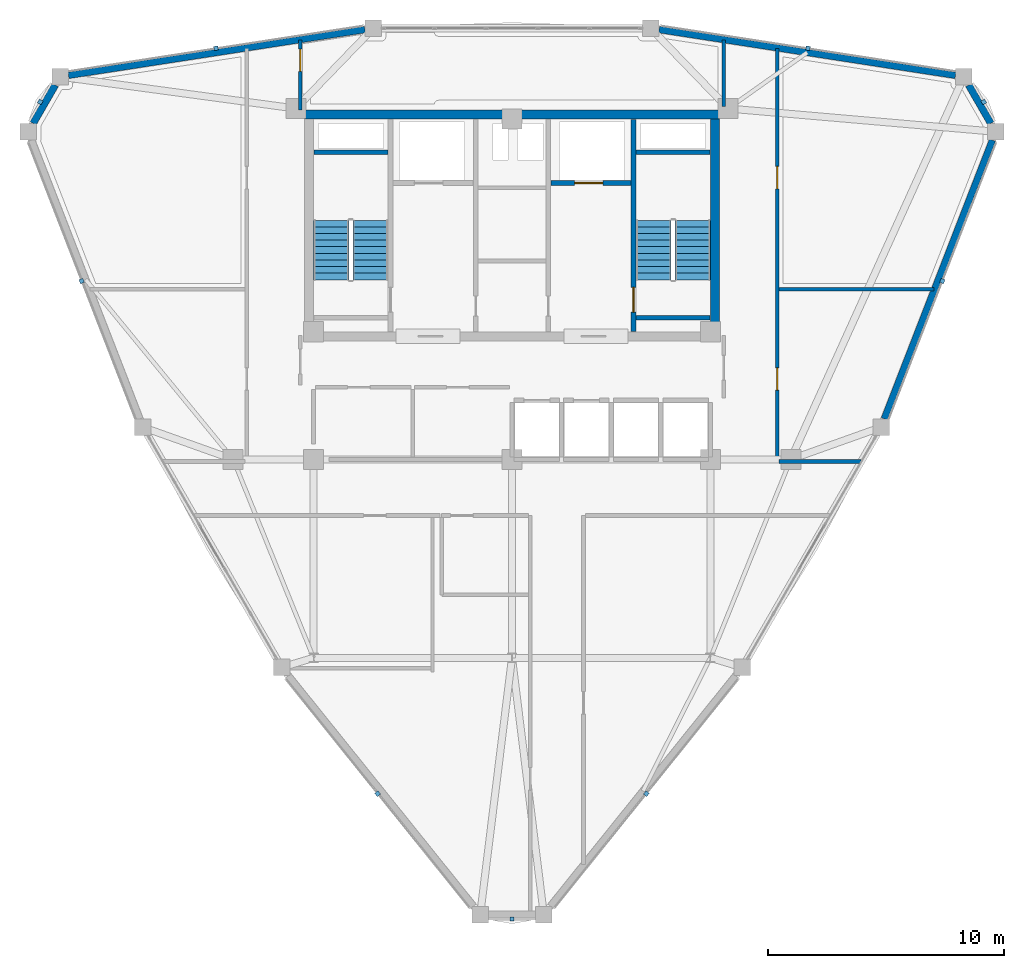
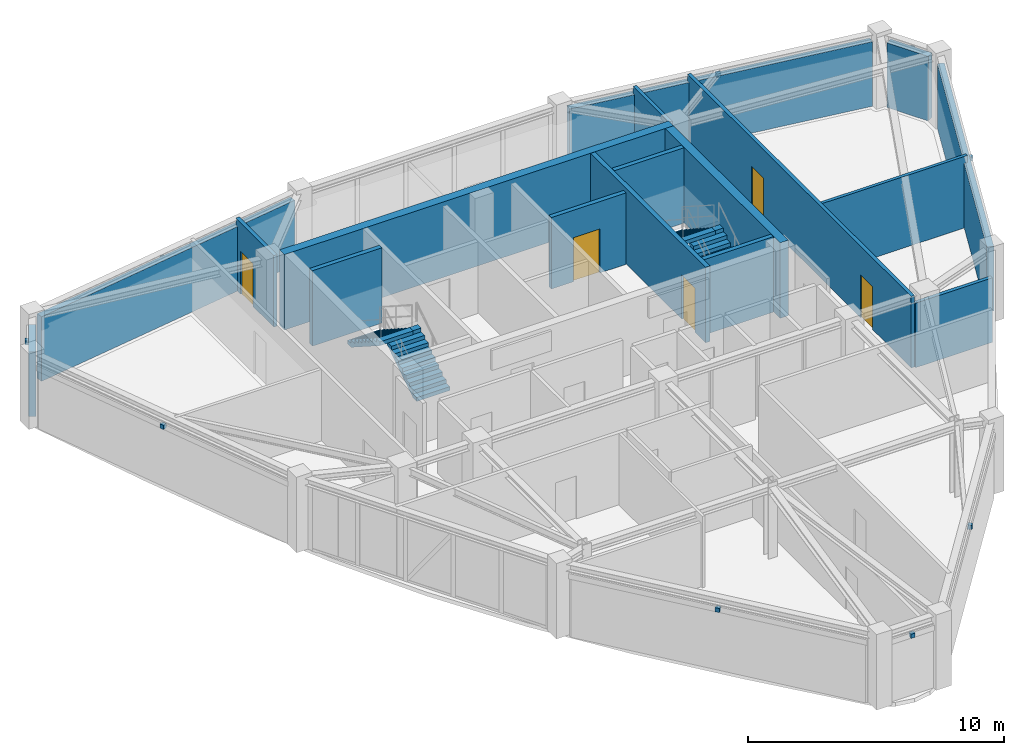
# One storey, part 13 of 15: 17 walls, 9 discrete accessories, 5 doors, 4 stair flights, 5 openings, 2 elements without a shape of their own.
"""IFC4 building model written with IfcOpenShell, lengths in metres."""

from ifc_helpers import new_model, si_unit, derived_unit, direction, frame, frame_2d, origin, origin_2d, place, context, subcontext, project, spatial, polyline, rectangle, outline, extrude, source, transform, mapped, material, layer, layer_set, type_object, element, fill, aggregate, save


model = new_model("IFC4")

# Units and contexts
model_context = context("Model", 3, precision=1e-05, world=origin(), true_north=direction((0.0, 1.0)))
body_context = subcontext(model_context, "Body", "Model", "MODEL_VIEW")
ifc_project = project(units=[si_unit("LENGTHUNIT", "METRE"), si_unit("AREAUNIT", "SQUARE_METRE"), si_unit("VOLUMEUNIT", "CUBIC_METRE"), si_unit("PLANEANGLEUNIT", "RADIAN"), si_unit("MASSUNIT", "GRAM", prefix="KILO"), derived_unit("THERMALTRANSMITTANCEUNIT", [(si_unit("POWERUNIT", "WATT"), 1), (si_unit("LENGTHUNIT", "METRE"), -2), (si_unit("THERMODYNAMICTEMPERATUREUNIT", "KELVIN"), -1)])], contexts=[model_context])

# Site, building, storey
site_placement = place(None, origin())
site = spatial("IfcSite", under=ifc_project, at=site_placement, CompositionType="ELEMENT")
building_placement = place(site_placement, origin())
building = spatial("IfcBuilding", under=site, at=building_placement, Name="Korsvarv Bourse and Concert Hall", CompositionType="ELEMENT")
storey_placement = place(building_placement, frame((0.0, 0.0, 268.199951171875)))
storey = spatial("IfcBuildingStorey", under=building, at=storey_placement, Name="L70", CompositionType="ELEMENT", Elevation=268.199951171875)

# Walls
ifc_material_1 = material(Name="Concrete C50/60", Category="concrete")
ifc_layer_1 = layer(ifc_material_1, 0.3798828125)
ifc_layer_set_1 = layer_set([ifc_layer_1], Name="Concrete C50/60")
wall_type_1 = type_object("IfcWallType", Name="WL-CORE-380", PredefinedType="SHEAR", material=ifc_layer_set_1)
wall_1_placement = place(storey_placement, frame((27.219970703125, 46.989990234375, 0.0), z_axis=(0.0, 0.0, 1.0), x_axis=(1.0, 0.0, 0.0)))
element("IfcWall", 1, at=wall_1_placement, inside=storey, type_object=wall_type_1, Name="L70 North Core Shear Wall", PredefinedType="SHEAR", context=body_context, shape_type="SweptSolid", body=[
    extrude(rectangle(XDim=17.56005859375, YDim=0.3798828125, at=frame_2d((8.780029296875, 0.0))), origin(), (0.0, 0.0, 1.0), 3.60009765625),
])
wall_2_placement = place(storey_placement, frame((44.590087890625, 37.800048828125, 0.0), z_axis=(0.0, 0.0, 1.0), x_axis=(0.0, 1.0, 0.0)))
element("IfcWall", 2, at=wall_2_placement, inside=storey, type_object=wall_type_1, Name="L70 East Core Shear Wall", PredefinedType="SHEAR", context=body_context, shape_type="SweptSolid", body=[
    extrude(rectangle(XDim=9.0, YDim=0.3798828125, at=frame_2d((4.5, 0.0))), origin(), (0.0, 0.0, 1.0), 3.60009765625),
])
wall_3_placement = place(storey_placement, frame((27.610107421875, 45.39990234375, 0.0), z_axis=(0.0, 0.0, 1.0), x_axis=(1.0, 0.0, 0.0)))
element("IfcWall", 3, at=wall_3_placement, inside=storey, type_object=wall_type_1, Name="L70 stair shaft structural wall W-L70-ST1-N", PredefinedType="SHEAR", context=body_context, shape_type="SweptSolid", body=[
    extrude(rectangle(XDim=3.139892578125, YDim=0.199951171875, at=frame_2d((1.56982421875, 0.0))), origin(), (0.0, 0.0, 1.0), 3.60009765625),
])

# Wall, opening, door
wall_4_placement = place(storey_placement, frame((41.139892578125, 37.81005859375, 0.0), z_axis=(0.0, 0.0, 1.0), x_axis=(0.0, 1.0, 0.0)))
wall_4 = element("IfcWall", 4, at=wall_4_placement, inside=storey, type_object=wall_type_1, Name="L70 stair shaft structural wall W-L70-ST2-W", PredefinedType="SHEAR", context=body_context, shape_type="SweptSolid", body=[
    extrude(rectangle(XDim=8.97998046875, YDim=0.199951171875, at=frame_2d((4.489990234375, 0.0))), origin(), (0.0, 0.0, 1.0), 3.60009765625),
])
opening_1_placement = place(wall_4_placement, frame((0.820068359375, 0.0, 0.0)))
opening_1 = element("IfcOpeningElement", 5, at=opening_1_placement, cuts=wall_4, Name="Opening D-01", PredefinedType="OPENING", context=body_context, shape_type="SweptSolid", body=[
    extrude(rectangle(XDim=1.050048828125, YDim=2.10009765625, at=frame_2d((0.52490234375, 1.050048828125))), frame((0.0, 0.10986328125, 0.0), z_axis=(0.0, -1.0, 0.0), x_axis=(1.0, 0.0, 0.0)), (0.0, 0.0, 1.0), 0.219970703125),
])
ifc_material_2 = material(Name="Steel S355 fire door", Category="steel")
door_type_1 = type_object("IfcDoorType", Name="DR-FD60", OperationType="NOTDEFINED", PredefinedType="DOOR", material=ifc_material_2)
door_1_placement = place(opening_1_placement, frame((1.050048828125, 0.0, 0.0), z_axis=(0.0, 0.0, 1.0), x_axis=(-1.0, 0.0, 0.0)))
door_1 = element("IfcDoor", 6, at=door_1_placement, inside=storey, type_object=door_type_1, Name="L70 interior door DR-L70-ST2", OperationType="SINGLE_SWING_RIGHT", OverallHeight=2.10009765625, OverallWidth=1.050048828125, PredefinedType="DOOR", context=body_context, shape_type="SweptSolid", body=[
    extrude(rectangle(XDim=1.050048828125, YDim=2.10009765625, at=frame_2d((0.52490234375, 1.050048828125))), frame((0.0, 0.02490234375, 0.0), z_axis=(0.0, -1.0, 0.0), x_axis=(1.0, 0.0, 0.0)), (0.0, 0.0, 1.0), 0.050048828125),
])
fill(opening_1, door_1)

# Walls
for number, where, z_axis, x_axis, name in (
    (7, (41.25, 45.39990234375, 0.0), (0.0, 0.0, 1.0), (1.0, 0.0, 0.0), "L70 stair shaft structural wall W-L70-ST2-N"),
    (8, (41.25, 38.39990234375, 0.0), (0.0, 0.0, 1.0), (1.0, 0.0, 0.0), "L70 stair shaft structural wall W-L70-ST2-S"),
):
    element("IfcWall", number, at=place(storey_placement, frame(where, z_axis=z_axis, x_axis=x_axis)), inside=storey, type_object=wall_type_1, Name=name, PredefinedType="SHEAR", context=body_context, shape_type="SweptSolid", body=[
        extrude(rectangle(XDim=3.139892578125, YDim=0.199951171875, at=frame_2d((1.56982421875, 0.0))), origin(), (0.0, 0.0, 1.0), 3.60009765625),
    ])
ifc_material_3 = material(Name="Precast concrete C45/55 with terracotta rainscreen", Category="concrete")
ifc_layer_2 = layer(ifc_material_3, 0.300048828125)
ifc_layer_set_2 = layer_set([ifc_layer_2], Name="Precast concrete C45/55 with terracotta rainscreen")
wall_type_2 = type_object("IfcWallType", Name="WL-EXT-TC1", PredefinedType="SOLIDWALL", material=ifc_layer_set_2)
for number, where, z_axis, x_axis, name in (
    (9, (56.269287109375, 46.621337890625, 0.0), (0.0, 0.0, 1.0), (-0.500023421257, 0.866011881093, 0.0), "L70 terracotta exterior wall EW-L70-B01"),
    (10, (16.6669921875, 48.242919921875, 0.0), (0.0, 0.0, 1.0), (-0.500023421257, -0.866011881093, 0.0), "L70 terracotta exterior wall EW-L70-B05"),
):
    element("IfcWall", number, at=place(storey_placement, frame(where, z_axis=z_axis, x_axis=x_axis)), inside=storey, type_object=wall_type_2, Name=name, PredefinedType="SOLIDWALL", context=body_context, shape_type="SweptSolid", body=[
        extrude(rectangle(XDim=1.87255859375, YDim=0.300048828125, at=frame_2d((0.936279296875, 0.0))), origin(), (0.0, 0.0, 1.0), 3.080078125),
    ])
ifc_material_4 = material(Name="Precast concrete C45/55 with fluted terracotta pier", Category="concrete")
ifc_layer_3 = layer(ifc_material_4, 0.280029296875)
ifc_layer_set_3 = layer_set([ifc_layer_3], Name="Precast concrete C45/55 with fluted terracotta pier")
wall_type_3 = type_object("IfcWallType", Name="WL-EXT-TC2", PredefinedType="SOLIDWALL", material=ifc_layer_set_3)
for number, where, z_axis, x_axis, name in (
    (11, (54.77294921875, 48.65283203125, 0.0), (0.0, 0.0, 1.0), (-0.988271454673, 0.152707340617, 0.0), "L70 terracotta exterior wall EW-L70-B02"),
    (12, (29.775390625, 50.591796875, 0.0), (0.0, 0.0, 1.0), (-0.988271454673, -0.152707340617, 0.0), "L70 terracotta exterior wall EW-L70-B04"),
):
    element("IfcWall", number, at=place(storey_placement, frame(where, z_axis=z_axis, x_axis=x_axis)), inside=storey, type_object=wall_type_3, Name=name, PredefinedType="SOLIDWALL", context=body_context, shape_type="SweptSolid", body=[
        extrude(rectangle(XDim=12.697265625, YDim=0.280029296875, at=frame_2d((6.3486328125, 0.0))), origin(), (0.0, 0.0, 1.0), 3.080078125),
    ])
wall_5_placement = place(storey_placement, frame((51.757080078125, 34.11474609375, 0.0), z_axis=(0.0, 0.0, 1.0), x_axis=(0.3618810561, 0.932224276253, 0.0)))
element("IfcWall", 13, at=wall_5_placement, inside=storey, type_object=wall_type_3, Name="L70 terracotta exterior wall EW-L70-B12", PredefinedType="SOLIDWALL", context=body_context, shape_type="SweptSolid", body=[
    extrude(rectangle(XDim=12.654296875, YDim=0.280029296875, at=frame_2d((6.3271484375, 0.0))), origin(), (0.0, 0.0, 1.0), 3.080078125),
])

# Wall, opening, door
ifc_material_5 = material(Name="Reinforced concrete blockwork C35/45 fire wall", Category="concrete")
ifc_layer_4 = layer(ifc_material_5, 0.199951171875)
ifc_layer_set_4 = layer_set([ifc_layer_4], Name="Reinforced concrete blockwork C35/45 fire wall")
wall_type_4 = type_object("IfcWallType", Name="WL-INT-EI120", PredefinedType="PARTITIONING", material=ifc_layer_set_4)
wall_6_placement = place(storey_placement, frame((37.64990234375, 44.10009765625, 0.0), z_axis=(0.0, 0.0, 1.0), x_axis=(1.0, 0.0, 0.0)))
wall_6 = element("IfcWall", 14, at=wall_6_placement, inside=storey, type_object=wall_type_4, Name="L70 interior partition wall W-L70-FF2-S", PredefinedType="PARTITIONING", context=body_context, shape_type="SweptSolid", body=[
    extrude(rectangle(XDim=3.380126953125, YDim=0.199951171875, at=frame_2d((1.68994140625, 0.0))), origin(), (0.0, 0.0, 1.0), 3.41015625),
])
opening_2_placement = place(wall_6_placement, frame((1.0, 0.0, 0.0)))
opening_2 = element("IfcOpeningElement", 15, at=opening_2_placement, cuts=wall_6, Name="Opening LD-1", PredefinedType="OPENING", context=body_context, shape_type="SweptSolid", body=[
    extrude(rectangle(XDim=1.199951171875, YDim=2.10009765625, at=frame_2d((0.60009765625, 1.050048828125))), frame((0.0, 0.10986328125, 0.0), z_axis=(0.0, -1.0, 0.0), x_axis=(1.0, 0.0, 0.0)), (0.0, 0.0, 1.0), 0.219970703125),
])
ifc_material_6 = material(Name="Stainless Steel S355 firefighting lift landing door", Category="steel")
door_type_2 = type_object("IfcDoorType", Name="DR-LIFT-FF", OperationType="DOUBLE_DOOR_SLIDING", PredefinedType="DOOR", material=ifc_material_6)
door_2_placement = place(opening_2_placement, origin())
door_2 = element("IfcDoor", 16, at=door_2_placement, inside=storey, type_object=door_type_2, Name="L70 lift sliding landing door LD-L70-FF2", OperationType="DOUBLE_DOOR_SLIDING", OverallHeight=2.10009765625, OverallWidth=1.199951171875, PredefinedType="DOOR", context=body_context, shape_type="SweptSolid", body=[
    extrude(rectangle(XDim=1.199951171875, YDim=2.10009765625, at=frame_2d((0.60009765625, 1.050048828125))), frame((0.0, 0.02490234375, 0.0), z_axis=(0.0, -1.0, 0.0), x_axis=(1.0, 0.0, 0.0)), (0.0, 0.0, 1.0), 0.050048828125),
])
fill(opening_2, door_2)

# Wall, openings, doors
ifc_material_7 = material(Name="Double-stud fire-rated acoustic partition", Category="gypsum")
ifc_layer_5 = layer(ifc_material_7, 0.159912109375)
ifc_layer_set_5 = layer_set([ifc_layer_5], Name="Double-stud fire-rated acoustic partition")
wall_type_5 = type_object("IfcWallType", Name="WL-INT-EI60", PredefinedType="PARTITIONING", material=ifc_layer_set_5)
wall_7_placement = place(storey_placement, frame((47.22509765625, 32.31005859375, 0.0), z_axis=(0.0, 0.0, 1.0), x_axis=(0.0, 1.0, 0.0)))
wall_7 = element("IfcWall", 17, at=wall_7_placement, inside=storey, type_object=wall_type_5, Name="L70 interior partition wall W-L70-TCOR-01", PredefinedType="PARTITIONING", context=body_context, shape_type="SweptSolid", body=[
    extrude(rectangle(XDim=17.4892578125, YDim=0.159912109375, at=frame_2d((8.74462890625, 0.0))), origin(), (0.0, 0.0, 1.0), 3.41015625),
])
opening_3_placement = place(wall_7_placement, frame((3.017578125, 0.0, 0.0)))
opening_3 = element("IfcOpeningElement", 18, at=opening_3_placement, cuts=wall_7, Name="Opening D-02", PredefinedType="OPENING", context=body_context, shape_type="SweptSolid", body=[
    extrude(rectangle(XDim=0.949951171875, YDim=2.050048828125, at=frame_2d((0.47509765625, 1.02490234375))), frame((0.0, 0.08984375, 0.0), z_axis=(0.0, -1.0, 0.0), x_axis=(1.0, 0.0, 0.0)), (0.0, 0.0, 1.0), 0.179931640625),
])
opening_4_placement = place(wall_7_placement, frame((11.54052734375, 0.0, 0.0)))
opening_4 = element("IfcOpeningElement", 19, at=opening_4_placement, cuts=wall_7, Name="Opening D-02", PredefinedType="OPENING", context=body_context, shape_type="SweptSolid", body=[
    extrude(rectangle(XDim=0.949951171875, YDim=2.050048828125, at=frame_2d((0.47509765625, 1.02490234375))), frame((0.0, 0.08984375, 0.0), z_axis=(0.0, -1.0, 0.0), x_axis=(1.0, 0.0, 0.0)), (0.0, 0.0, 1.0), 0.179931640625),
])
ifc_material_8 = material(Name="Timber and steel acoustic fire door", Category="wood")
door_type_3 = type_object("IfcDoorType", Name="DR-FD30", OperationType="NOTDEFINED", PredefinedType="DOOR", material=ifc_material_8)
door_3_placement = place(opening_3_placement, origin())
door_3 = element("IfcDoor", 20, at=door_3_placement, inside=storey, type_object=door_type_3, Name="L70 interior door DR-L70-TCOR-FO71", OperationType="SINGLE_SWING_LEFT", OverallHeight=2.050048828125, OverallWidth=0.949951171875, PredefinedType="DOOR", context=body_context, shape_type="SweptSolid", body=[
    extrude(rectangle(XDim=0.949951171875, YDim=2.050048828125, at=frame_2d((0.47509765625, 1.02490234375))), frame((0.0, 0.02490234375, 0.0), z_axis=(0.0, -1.0, 0.0), x_axis=(1.0, 0.0, 0.0)), (0.0, 0.0, 1.0), 0.050048828125),
])
fill(opening_3, door_3)
door_4_placement = place(opening_4_placement, origin())
door_4 = element("IfcDoor", 21, at=door_4_placement, inside=storey, type_object=door_type_3, Name="L70 interior door DR-L70-TCOR-FO82", OperationType="SINGLE_SWING_RIGHT", OverallHeight=2.050048828125, OverallWidth=0.949951171875, PredefinedType="DOOR", context=body_context, shape_type="SweptSolid", body=[
    extrude(rectangle(XDim=0.949951171875, YDim=2.050048828125, at=frame_2d((0.47509765625, 1.02490234375))), frame((0.0, 0.02490234375, 0.0), z_axis=(0.0, -1.0, 0.0), x_axis=(1.0, 0.0, 0.0)), (0.0, 0.0, 1.0), 0.050048828125),
])
fill(opening_4, door_4)

# Wall
wall_8_placement = place(storey_placement, frame((47.306884765625, 32.31494140625, 0.0), z_axis=(0.0, 0.0, 1.0), x_axis=(1.0, 0.0, 0.0)))
element("IfcWall", 22, at=wall_8_placement, inside=storey, type_object=wall_type_5, Name="L70 interior partition wall W-L70-TCOR-09", PredefinedType="PARTITIONING", context=body_context, shape_type="SweptSolid", body=[
    extrude(rectangle(XDim=3.4580078125, YDim=0.159912109375, at=frame_2d((1.72900390625, 0.0))), origin(), (0.0, 0.0, 1.0), 3.080078125),
])

# Wall, opening, door
wall_9_placement = place(storey_placement, frame((27.034912109375, 47.18310546875, 0.0), z_axis=(0.0, 0.0, 1.0), x_axis=(0.0, 1.0, 0.0)))
wall_9 = element("IfcWall", 23, at=wall_9_placement, inside=storey, type_object=wall_type_5, Name="L70 interior partition wall W-L70-TCOR-10", PredefinedType="PARTITIONING", context=body_context, shape_type="SweptSolid", body=[
    extrude(rectangle(XDim=2.96533203125, YDim=0.159912109375, at=frame_2d((1.482666015625, 0.0))), origin(), (0.0, 0.0, 1.0), 3.41015625),
])
opening_5_placement = place(wall_9_placement, frame((1.63525390625, 0.0, 0.0)))
opening_5 = element("IfcOpeningElement", 24, at=opening_5_placement, cuts=wall_9, Name="Opening D-02", PredefinedType="OPENING", context=body_context, shape_type="SweptSolid", body=[
    extrude(rectangle(XDim=0.949951171875, YDim=2.050048828125, at=frame_2d((0.47509765625, 1.02490234375))), frame((0.0, 0.08984375, 0.0), z_axis=(0.0, -1.0, 0.0), x_axis=(1.0, 0.0, 0.0)), (0.0, 0.0, 1.0), 0.179931640625),
])
door_5_placement = place(opening_5_placement, origin())
door_5 = element("IfcDoor", 25, at=door_5_placement, inside=storey, type_object=door_type_3, Name="L70 interior door DR-L70-TCOR-FO44", OperationType="SINGLE_SWING_LEFT", OverallHeight=2.050048828125, OverallWidth=0.949951171875, PredefinedType="DOOR", context=body_context, shape_type="SweptSolid", body=[
    extrude(rectangle(XDim=0.949951171875, YDim=2.050048828125, at=frame_2d((0.47509765625, 1.02490234375))), frame((0.0, 0.02490234375, 0.0), z_axis=(0.0, -1.0, 0.0), x_axis=(1.0, 0.0, 0.0)), (0.0, 0.0, 1.0), 0.050048828125),
])
fill(opening_5, door_5)

# Walls
wall_10_placement = place(storey_placement, frame((44.965087890625, 47.340087890625, 0.0), z_axis=(0.0, 0.0, 1.0), x_axis=(0.0, 1.0, 0.0)))
element("IfcWall", 26, at=wall_10_placement, inside=storey, type_object=wall_type_5, Name="L70 interior partition wall W-L70-TCOR-11", PredefinedType="PARTITIONING", context=body_context, shape_type="SweptSolid", body=[
    extrude(rectangle(XDim=2.808349609375, YDim=0.159912109375, at=frame_2d((1.404296875, 0.0))), origin(), (0.0, 0.0, 1.0), 3.41015625),
])
ifc_material_9 = material(Name="Insulated steel-stud office acoustic partition", Category="gypsum")
ifc_layer_6 = layer(ifc_material_9, 0.139892578125)
ifc_layer_set_6 = layer_set([ifc_layer_6], Name="Insulated steel-stud office acoustic partition")
wall_type_6 = type_object("IfcWallType", Name="WL-INT-P1", PredefinedType="PARTITIONING", material=ifc_layer_set_6)
wall_11_placement = place(storey_placement, frame((47.306884765625, 39.60498046875, 0.0), z_axis=(0.0, 0.0, 1.0), x_axis=(1.0, 0.0, 0.0)))
element("IfcWall", 27, at=wall_11_placement, inside=storey, type_object=wall_type_6, Name="L70 interior partition wall W-L70-TCOR-12", PredefinedType="PARTITIONING", context=body_context, shape_type="SweptSolid", body=[
    extrude(rectangle(XDim=6.5615234375, YDim=0.139892578125, at=frame_2d((3.28076171875, 0.0))), origin(), (0.0, 0.0, 1.0), 3.41015625),
])

# Stair, stair flights
ifc_material_10 = material(Name="Precast concrete C45/55", Category="concrete")
stair_type = type_object("IfcStairType", Name="STR-TYPE-04", PredefinedType="HALF_TURN_STAIR", material=ifc_material_10)
stair_1_placement = place(storey_placement, origin())
stair_1 = element("IfcStair", 28, at=stair_1_placement, inside=storey, type_object=stair_type, Name="L70 Tower West Exit Stair ST-T1", PredefinedType="HALF_TURN_STAIR")
stair_flight_type = type_object("IfcStairFlightType", Name="FLT-TYPE-04", PredefinedType="STRAIGHT", material=ifc_material_10)
stair_flight_1_placement = place(storey_placement, frame((30.010009765625, 40.0, 0.0), z_axis=(0.0, 0.0, 1.0), x_axis=(0.0, 1.0, 0.0)))
stair_flight_1 = element("IfcStairFlight", 29, at=stair_flight_1_placement, type_object=stair_flight_type, Name="ST-T1 flight 1", NumberOfRisers=10, NumberOfTreads=9, PredefinedType="STRAIGHT", RiserHeight=0.18, TreadLength=0.28, context=body_context, shape_type="SweptSolid", body=[
    extrude(outline(polyline([(0.0, 0.0), (0.0, 0.179931640625), (0.280029296875, 0.179931640625), (0.280029296875, 0.360107421875), (0.56005859375, 0.360107421875), (0.56005859375, 0.5400390625), (0.840087890625, 0.5400390625), (0.840087890625, 0.719970703125), (1.1201171875, 0.719970703125), (1.1201171875, 0.89990234375), (1.39990234375, 0.89990234375), (1.39990234375, 1.080078125), (1.679931640625, 1.080078125), (1.679931640625, 1.260009765625), (1.9599609375, 1.260009765625), (1.9599609375, 1.43994140625), (2.239990234375, 1.43994140625), (2.239990234375, 1.6201171875), (2.52001953125, 1.6201171875), (2.52001953125, 1.800048828125), (2.52001953125, 1.44189453125), (0.277099609375, 0.0), (0.0, 0.0)])), frame((0.0, 0.75, 0.0), z_axis=(0.0, -1.0, 0.0), x_axis=(1.0, 0.0, 0.0)), (0.0, 0.0, 1.0), 1.5),
])
stair_flight_2_placement = place(storey_placement, frame((28.35009765625, 42.52001953125, 1.800048828125), z_axis=(0.0, 0.0, 1.0), x_axis=(0.0, -1.0, 0.0)))
stair_flight_2 = element("IfcStairFlight", 30, at=stair_flight_2_placement, type_object=stair_flight_type, Name="ST-T1 flight 2", NumberOfRisers=10, NumberOfTreads=9, PredefinedType="STRAIGHT", RiserHeight=0.18, TreadLength=0.28, context=body_context, shape_type="SweptSolid", body=[
    extrude(outline(polyline([(0.0, 0.0), (0.0, 0.179931640625), (0.280029296875, 0.179931640625), (0.280029296875, 0.360107421875), (0.56005859375, 0.360107421875), (0.56005859375, 0.5400390625), (0.840087890625, 0.5400390625), (0.840087890625, 0.719970703125), (1.1201171875, 0.719970703125), (1.1201171875, 0.89990234375), (1.39990234375, 0.89990234375), (1.39990234375, 1.080078125), (1.679931640625, 1.080078125), (1.679931640625, 1.260009765625), (1.9599609375, 1.260009765625), (1.9599609375, 1.43994140625), (2.239990234375, 1.43994140625), (2.239990234375, 1.6201171875), (2.52001953125, 1.6201171875), (2.52001953125, 1.800048828125), (2.52001953125, 1.44189453125), (0.277099609375, 0.0), (0.0, 0.0)])), frame((0.0, 0.75, 0.0), z_axis=(0.0, -1.0, 0.0), x_axis=(1.0, 0.0, 0.0)), (0.0, 0.0, 1.0), 1.5),
])
aggregate(stair_1, [stair_flight_1, stair_flight_2])

stair_2_placement = place(storey_placement, origin())
stair_2 = element("IfcStair", 31, at=stair_2_placement, inside=storey, type_object=stair_type, Name="L70 Tower East Exit Stair ST-T2", PredefinedType="HALF_TURN_STAIR")
stair_flight_3_placement = place(storey_placement, frame((43.64990234375, 40.0, 0.0), z_axis=(0.0, 0.0, 1.0), x_axis=(0.0, 1.0, 0.0)))
stair_flight_3 = element("IfcStairFlight", 32, at=stair_flight_3_placement, type_object=stair_flight_type, Name="ST-T2 flight 1", NumberOfRisers=10, NumberOfTreads=9, PredefinedType="STRAIGHT", RiserHeight=0.18, TreadLength=0.28, context=body_context, shape_type="SweptSolid", body=[
    extrude(outline(polyline([(0.0, 0.0), (0.0, 0.179931640625), (0.280029296875, 0.179931640625), (0.280029296875, 0.360107421875), (0.56005859375, 0.360107421875), (0.56005859375, 0.5400390625), (0.840087890625, 0.5400390625), (0.840087890625, 0.719970703125), (1.1201171875, 0.719970703125), (1.1201171875, 0.89990234375), (1.39990234375, 0.89990234375), (1.39990234375, 1.080078125), (1.679931640625, 1.080078125), (1.679931640625, 1.260009765625), (1.9599609375, 1.260009765625), (1.9599609375, 1.43994140625), (2.239990234375, 1.43994140625), (2.239990234375, 1.6201171875), (2.52001953125, 1.6201171875), (2.52001953125, 1.800048828125), (2.52001953125, 1.44189453125), (0.277099609375, 0.0), (0.0, 0.0)])), frame((0.0, 0.75, 0.0), z_axis=(0.0, -1.0, 0.0), x_axis=(1.0, 0.0, 0.0)), (0.0, 0.0, 1.0), 1.5),
])
stair_flight_4_placement = place(storey_placement, frame((41.989990234375, 42.52001953125, 1.800048828125), z_axis=(0.0, 0.0, 1.0), x_axis=(0.0, -1.0, 0.0)))
stair_flight_4 = element("IfcStairFlight", 33, at=stair_flight_4_placement, type_object=stair_flight_type, Name="ST-T2 flight 2", NumberOfRisers=10, NumberOfTreads=9, PredefinedType="STRAIGHT", RiserHeight=0.18, TreadLength=0.28, context=body_context, shape_type="SweptSolid", body=[
    extrude(outline(polyline([(0.0, 0.0), (0.0, 0.179931640625), (0.280029296875, 0.179931640625), (0.280029296875, 0.360107421875), (0.56005859375, 0.360107421875), (0.56005859375, 0.5400390625), (0.840087890625, 0.5400390625), (0.840087890625, 0.719970703125), (1.1201171875, 0.719970703125), (1.1201171875, 0.89990234375), (1.39990234375, 0.89990234375), (1.39990234375, 1.080078125), (1.679931640625, 1.080078125), (1.679931640625, 1.260009765625), (1.9599609375, 1.260009765625), (1.9599609375, 1.43994140625), (2.239990234375, 1.43994140625), (2.239990234375, 1.6201171875), (2.52001953125, 1.6201171875), (2.52001953125, 1.800048828125), (2.52001953125, 1.44189453125), (0.277099609375, 0.0), (0.0, 0.0)])), frame((0.0, 0.75, 0.0), z_axis=(0.0, -1.0, 0.0), x_axis=(1.0, 0.0, 0.0)), (0.0, 0.0, 1.0), 1.5),
])
aggregate(stair_2, [stair_flight_3, stair_flight_4])

# Discrete accessories
ifc_material_11 = material(Name="Stainless Steel S355 facade outrigger bracket", Category="steel")
discrete_accessory_type = type_object("IfcDiscreteAccessoryType", Name="ACC-BRK-1", PredefinedType="BRACKET", material=ifc_material_11)
shared_shape = source(origin(), body_context, "Body", "SweptSolid", [
    extrude(rectangle(XDim=0.179931640625, YDim=0.179931640625, at=origin_2d()), origin(), (0.0, 0.0, 1.0), 0.199951171875),
])
for number, where, z_axis, x_axis, name in (
    (34, (55.965576171875, 47.527099609375, 2.8203125), (0.0, 0.0, 1.0), (-0.5, 0.866025403784, 0.0), "L70 terracotta sunshade bracket EW-L70-B01"),
    (35, (48.526123046875, 49.80029296875, 2.8203125), (0.0, 0.0, 1.0), (-0.98828172337, 0.15264087019, 0.0), "L70 terracotta sunshade bracket EW-L70-B02"),
    (36, (23.473876953125, 49.80029296875, 2.8203125), (0.0, 0.0, 1.0), (-0.98828172337, -0.15264087019, 0.0), "L70 terracotta sunshade bracket EW-L70-B04"),
    (37, (16.034423828125, 47.527099609375, 2.8203125), (0.0, 0.0, 1.0), (-0.5, -0.866025403784, 0.0), "L70 terracotta sunshade bracket EW-L70-B05"),
    (38, (17.785400390625, 39.947998046875, 2.7900390625), (0.0, 0.0, 1.0), (0.361949990445, -0.93219751363, 0.0), "L70 terracotta sunshade bracket EW-L70-B06"),
    (39, (30.311767578125, 18.251708984375, 2.8203125), (0.0, 0.0, 1.0), (0.626331732926, -0.779556643439, 0.0), "L70 terracotta sunshade bracket EW-L70-B08"),
    (40, (36.0, 12.945556640625, 2.8203125), (0.0, 0.0, 1.0), (1.0, 0.0, 0.0), "L70 terracotta sunshade bracket EW-L70-B09"),
    (41, (41.688232421875, 18.251708984375, 2.7900390625), (0.0, 0.0, 1.0), (0.626331732926, 0.779556643439, 0.0), "L70 terracotta sunshade bracket EW-L70-B10"),
    (42, (54.214599609375, 39.947998046875, 2.8203125), (0.0, 0.0, 1.0), (0.361949990445, 0.93219751363, 0.0), "L70 terracotta sunshade bracket EW-L70-B12"),
):
    element("IfcDiscreteAccessory", number, at=place(storey_placement, frame(where, z_axis=z_axis, x_axis=x_axis)), inside=storey, type_object=discrete_accessory_type, Name=name, PredefinedType="BRACKET", context=body_context, shape_type="MappedRepresentation", body=[
        mapped(shared_shape, transform((0.0, 0.0, 0.0), scale=1.0)),
    ])

save(model, "model.ifc")
